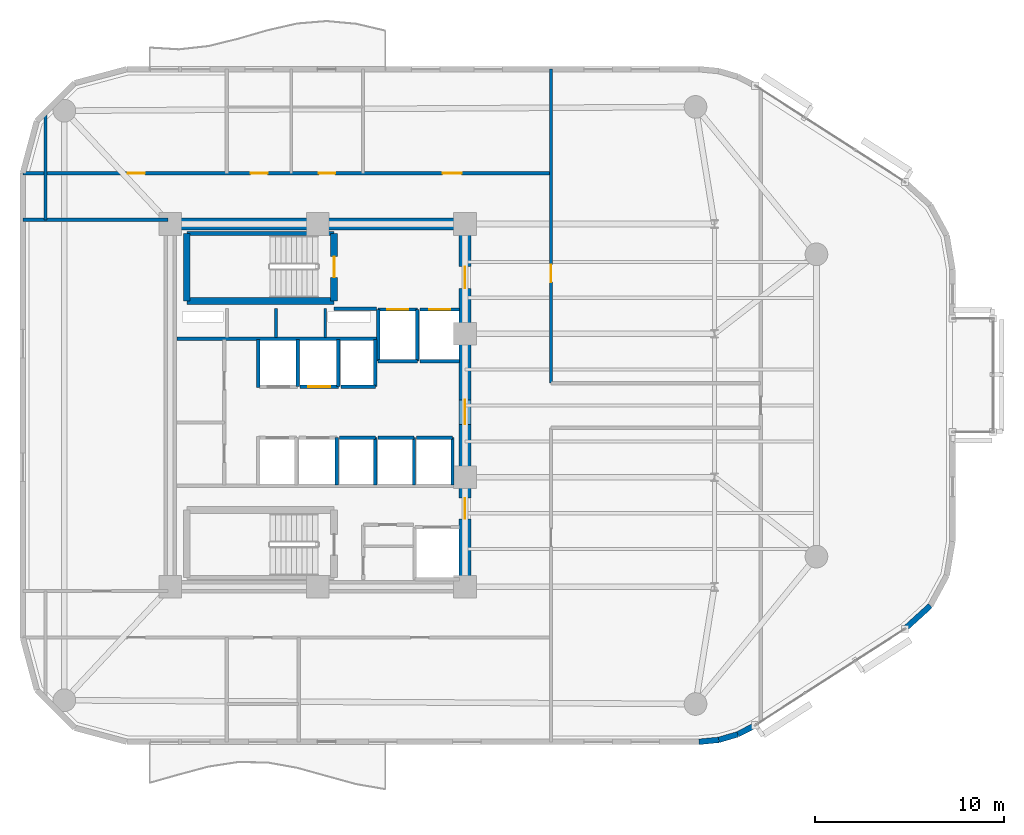
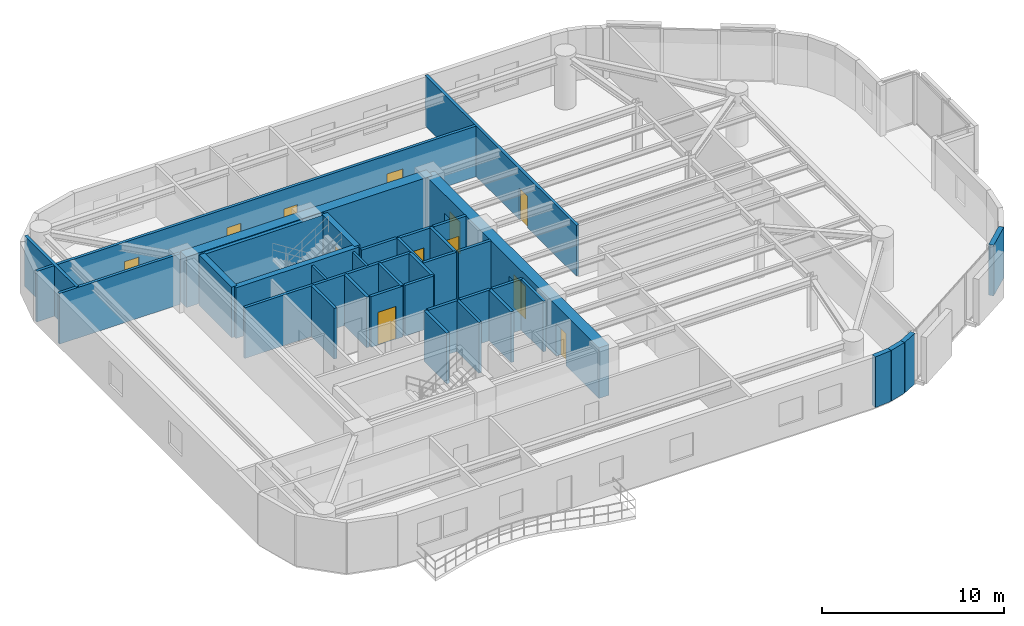
# One storey, part 9 of 12: 37 walls, 12 doors, 12 openings.
"""IFC4 building model written with IfcOpenShell, lengths in metres."""

from ifc_helpers import new_model, si_unit, direction, frame, frame_2d, origin, place, context, subcontext, project, spatial, rectangle, extrude, material, layer, layer_set, type_object, element, fill, save


model = new_model("IFC4")

# Units and contexts
model_context = context("Model", 3, precision=1e-05, world=origin(), true_north=direction((0.0, 1.0)))
body_context = subcontext(model_context, "Body", "Model", "MODEL_VIEW")
ifc_project = project(units=[si_unit("LENGTHUNIT", "METRE"), si_unit("AREAUNIT", "SQUARE_METRE"), si_unit("VOLUMEUNIT", "CUBIC_METRE"), si_unit("PLANEANGLEUNIT", "RADIAN"), si_unit("MASSUNIT", "GRAM", prefix="KILO")], contexts=[model_context])

# Site, building, storey
site_placement = place(None, origin())
site = spatial("IfcSite", under=ifc_project, at=site_placement, CompositionType="ELEMENT")
building_placement = place(site_placement, origin())
building = spatial("IfcBuilding", under=site, at=building_placement, Name="An Khanh Terracotta Commons", CompositionType="ELEMENT")
storey_placement = place(building_placement, frame((0.0, 0.0, 161.800048828125)))
storey = spatial("IfcBuildingStorey", under=building, at=storey_placement, Name="L42", CompositionType="ELEMENT", Elevation=161.800048828125)

# Wall
ifc_material_1 = material(Name="Concrete C60/75", Category="concrete")
ifc_layer_1 = layer(ifc_material_1, 0.64990234375, Name="Concrete C60/75")
ifc_layer_set_1 = layer_set([ifc_layer_1], Name="Concrete C60/75")
wall_type_1 = type_object("IfcWallType", Name="WALL-CORE-650", PredefinedType="SHEAR", material=ifc_layer_set_1)
wall_1_placement = place(storey_placement, frame((21.60009765625, 33.60009765625, 0.0), z_axis=(0.0, 0.0, 1.0), x_axis=(1.0, 0.0, 0.0)))
element("IfcWall", 1, at=wall_1_placement, inside=storey, type_object=wall_type_1, Name="L42 Core Wall CWALL-L42-N", PredefinedType="SHEAR", context=body_context, shape_type="SweptSolid", body=[
    extrude(rectangle(XDim=15.599853515625, YDim=0.64990234375, at=frame_2d((7.7998046875, 0.0))), origin(), (0.0, 0.0, 1.0), 3.39990234375),
])

# Wall, openings, doors
wall_2_placement = place(storey_placement, frame((37.199951171875, 14.39990234375, 0.0), z_axis=(0.0, 0.0, 1.0), x_axis=(0.0, 1.0, 0.0)))
wall_2 = element("IfcWall", 2, at=wall_2_placement, inside=storey, type_object=wall_type_1, Name="L42 Core Wall CWALL-L42-E", PredefinedType="SHEAR", context=body_context, shape_type="SweptSolid", body=[
    extrude(rectangle(XDim=19.2001953125, YDim=0.64990234375, at=frame_2d((9.60009765625, 0.0))), origin(), (0.0, 0.0, 1.0), 3.39990234375),
])
opening_1_placement = place(wall_2_placement, frame((15.800048828125, 0.0, 0.0)))
opening_1 = element("IfcOpeningElement", 3, at=opening_1_placement, cuts=wall_2, Name="Opening D-FFL", PredefinedType="OPENING", context=body_context, shape_type="SweptSolid", body=[
    extrude(rectangle(XDim=1.14990234375, YDim=2.14990234375, at=frame_2d((0.574951171875, 1.074951171875))), frame((0.0, 0.3349609375, 0.0), z_axis=(0.0, -1.0, 0.0), x_axis=(1.0, 0.0, 0.0)), (0.0, 0.0, 1.0), 0.669921875),
])
opening_2_placement = place(wall_2_placement, frame((3.60009765625, 0.0, 0.0)))
opening_2 = element("IfcOpeningElement", 4, at=opening_2_placement, cuts=wall_2, Name="Opening D-ST", PredefinedType="OPENING", context=body_context, shape_type="SweptSolid", body=[
    extrude(rectangle(XDim=1.10009765625, YDim=2.14990234375, at=frame_2d((0.550048828125, 1.074951171875))), frame((0.0, 0.3349609375, 0.0), z_axis=(0.0, -1.0, 0.0), x_axis=(1.0, 0.0, 0.0)), (0.0, 0.0, 1.0), 0.669921875),
])
opening_3_placement = place(wall_2_placement, frame((8.60009765625, 0.0, 0.0)))
opening_3 = element("IfcOpeningElement", 5, at=opening_3_placement, cuts=wall_2, Name="Opening D-COR", PredefinedType="OPENING", context=body_context, shape_type="SweptSolid", body=[
    extrude(rectangle(XDim=1.300048828125, YDim=2.199951171875, at=frame_2d((0.64990234375, 1.10009765625))), frame((0.0, 0.3349609375, 0.0), z_axis=(0.0, -1.0, 0.0), x_axis=(1.0, 0.0, 0.0)), (0.0, 0.0, 1.0), 0.669921875),
])
ifc_material_2 = material(Name="Fire-Rated Glazed Steel Double Door", Category="steel")
door_type_1 = type_object("IfcDoorType", Name="DOOR-CORR-1300", OperationType="NOTDEFINED", PredefinedType="DOOR", material=ifc_material_2)
door_1_placement = place(opening_3_placement, origin())
door_1 = element("IfcDoor", 6, at=door_1_placement, inside=storey, type_object=door_type_1, Name="L42 Passenger Lift Lobby Double Door", OperationType="DOUBLE_DOOR_SINGLE_SWING", OverallHeight=2.199951171875, OverallWidth=1.300048828125, PredefinedType="DOOR", context=body_context, shape_type="SweptSolid", body=[
    extrude(rectangle(XDim=1.300048828125, YDim=2.199951171875, at=frame_2d((0.64990234375, 1.10009765625))), frame((0.0, 0.02490234375, 0.0), z_axis=(0.0, -1.0, 0.0), x_axis=(1.0, 0.0, 0.0)), (0.0, 0.0, 1.0), 0.050048828125),
])
fill(opening_3, door_1)
ifc_material_3 = material(Name="Fire-Rated Steel Leaf and Vision Panel", Category="steel")
door_type_2 = type_object("IfcDoorType", Name="DOOR-FFL-1150", OperationType="NOTDEFINED", PredefinedType="DOOR", material=ifc_material_3)
door_2_placement = place(opening_1_placement, origin())
door_2 = element("IfcDoor", 7, at=door_2_placement, inside=storey, type_object=door_type_2, Name="L42 Firefighting Lift Lobby Fire Door", OperationType="SINGLE_SWING_LEFT", OverallHeight=2.14990234375, OverallWidth=1.14990234375, PredefinedType="DOOR", context=body_context, shape_type="SweptSolid", body=[
    extrude(rectangle(XDim=1.14990234375, YDim=2.14990234375, at=frame_2d((0.574951171875, 1.074951171875))), frame((0.0, 0.02490234375, 0.0), z_axis=(0.0, -1.0, 0.0), x_axis=(1.0, 0.0, 0.0)), (0.0, 0.0, 1.0), 0.050048828125),
])
fill(opening_1, door_2)
ifc_material_4 = material(Name="Fire-Rated Steel Leaf and Frame", Category="steel")
door_type_3 = type_object("IfcDoorType", Name="DOOR-STAIR-1100", OperationType="NOTDEFINED", PredefinedType="DOOR", material=ifc_material_4)
door_3_placement = place(opening_2_placement, origin())
door_3 = element("IfcDoor", 8, at=door_3_placement, inside=storey, type_object=door_type_3, Name="L42 South Stair Lobby Fire Door", OperationType="SINGLE_SWING_RIGHT", OverallHeight=2.14990234375, OverallWidth=1.10009765625, PredefinedType="DOOR", context=body_context, shape_type="SweptSolid", body=[
    extrude(rectangle(XDim=1.10009765625, YDim=2.14990234375, at=frame_2d((0.550048828125, 1.074951171875))), frame((0.0, 0.02490234375, 0.0), z_axis=(0.0, -1.0, 0.0), x_axis=(1.0, 0.0, 0.0)), (0.0, 0.0, 1.0), 0.050048828125),
])
fill(opening_2, door_3)

# Walls
ifc_material_5 = material(Name="Fire-Rated Gypsum Board on Steel Stud", Category="steel")
ifc_layer_2 = layer(ifc_material_5, 0.179931640625, Name="Fire-Rated Gypsum Board on Steel Stud")
ifc_layer_set_2 = layer_set([ifc_layer_2], Name="Fire-Rated Gypsum Board on Steel Stud")
wall_type_2 = type_object("IfcWallType", Name="WALL-CORR-180", PredefinedType="PARTITIONING", material=ifc_layer_set_2)
wall_3_placement = place(storey_placement, frame((30.27001953125, 29.1201171875, 0.0), z_axis=(0.0, 0.0, 1.0), x_axis=(1.0, 0.0, 0.0)))
element("IfcWall", 9, at=wall_3_placement, inside=storey, type_object=wall_type_2, Name="L42 Core Wall FFLW-L42-S", PredefinedType="PARTITIONING", context=body_context, shape_type="SweptSolid", body=[
    extrude(rectangle(XDim=2.239990234375, YDim=0.179931640625, at=frame_2d((1.1201171875, 0.0))), origin(), (0.0, 0.0, 1.0), 3.39990234375),
])
wall_4_placement = place(storey_placement, frame((21.949951171875, 27.5400390625, 0.0), z_axis=(0.0, 0.0, 1.0), x_axis=(1.0, 0.0, 0.0)))
element("IfcWall", 10, at=wall_4_placement, inside=storey, type_object=wall_type_2, Name="L42 Core Wall RSRW-L42-S", PredefinedType="PARTITIONING", context=body_context, shape_type="SweptSolid", body=[
    extrude(rectangle(XDim=10.56005859375, YDim=0.179931640625, at=frame_2d((5.280029296875, 0.0))), origin(), (0.0, 0.0, 1.0), 3.39990234375),
])

# Wall, opening, door
wall_5_placement = place(storey_placement, frame((32.60009765625, 29.080078125, 0.0), z_axis=(0.0, 0.0, 1.0), x_axis=(1.0, 0.0, 0.0)))
wall_5 = element("IfcWall", 11, at=wall_5_placement, inside=storey, type_object=wall_type_2, Name="L42 Core Wall LSH-L42-FFL-01-N", PredefinedType="PARTITIONING", context=body_context, shape_type="SweptSolid", body=[
    extrude(rectangle(XDim=2.079833984375, YDim=0.179931640625, at=frame_2d((1.0400390625, 0.0))), origin(), (0.0, 0.0, 1.0), 3.39990234375),
])
opening_4_placement = place(wall_5_placement, frame((0.489990234375, 0.0, 0.0)))
opening_4 = element("IfcOpeningElement", 12, at=opening_4_placement, cuts=wall_5, Name="Opening LD-FFL-01-L42", PredefinedType="OPENING", context=body_context, shape_type="SweptSolid", body=[
    extrude(rectangle(XDim=1.10009765625, YDim=2.199951171875, at=frame_2d((0.550048828125, 1.10009765625))), frame((0.0, 0.099853515625, 0.0), z_axis=(0.0, -1.0, 0.0), x_axis=(1.0, 0.0, 0.0)), (0.0, 0.0, 1.0), 0.199951171875),
])
ifc_material_6 = material(Name="Brushed Stainless Steel Fire Landing Door", Category="steel")
door_type_4 = type_object("IfcDoorType", Name="DOOR-LD-FFL-1100", OperationType="NOTDEFINED", PredefinedType="DOOR", material=ifc_material_6)
door_4_placement = place(opening_4_placement, origin())
door_4 = element("IfcDoor", 13, at=door_4_placement, inside=storey, type_object=door_type_4, Name="L42 Lift FFL-01 Sliding Landing Door", OperationType="DOUBLE_DOOR_SLIDING", OverallHeight=2.199951171875, OverallWidth=1.10009765625, PredefinedType="DOOR", context=body_context, shape_type="SweptSolid", body=[
    extrude(rectangle(XDim=1.10009765625, YDim=2.199951171875, at=frame_2d((0.550048828125, 1.10009765625))), frame((0.0, 0.02490234375, 0.0), z_axis=(0.0, -1.0, 0.0), x_axis=(1.0, 0.0, 0.0)), (0.0, 0.0, 1.0), 0.050048828125),
])
fill(opening_4, door_4)

# Walls
wall_6_placement = place(storey_placement, frame((34.679931640625, 26.35009765625, 0.0), z_axis=(0.0, 0.0, 1.0), x_axis=(-1.0, 0.0, 0.0)))
element("IfcWall", 14, at=wall_6_placement, inside=storey, type_object=wall_type_2, Name="L42 Core Wall LSH-L42-FFL-01-S", PredefinedType="PARTITIONING", context=body_context, shape_type="SweptSolid", body=[
    extrude(rectangle(XDim=2.079833984375, YDim=0.179931640625, at=frame_2d((1.0400390625, 0.0))), origin(), (0.0, 0.0, 1.0), 3.39990234375),
])
for number, where, z_axis, x_axis, name in (
    (15, (34.679931640625, 26.35009765625, 0.0), (0.0, 0.0, 1.0), (0.0, 1.0, 0.0), "L42 Core Wall LSH-L42-FFL-01-E"),
    (16, (32.60009765625, 29.080078125, 0.0), (0.0, 0.0, 1.0), (0.0, -1.0, 0.0), "L42 Core Wall LSH-L42-FFL-01-W"),
):
    element("IfcWall", number, at=place(storey_placement, frame(where, z_axis=z_axis, x_axis=x_axis)), inside=storey, type_object=wall_type_2, Name=name, PredefinedType="PARTITIONING", context=body_context, shape_type="SweptSolid", body=[
        extrude(rectangle(XDim=2.72998046875, YDim=0.179931640625, at=frame_2d((1.364990234375, 0.0))), origin(), (0.0, 0.0, 1.0), 3.39990234375),
    ])

# Wall, opening, door
wall_7_placement = place(storey_placement, frame((34.820068359375, 29.080078125, 0.0), z_axis=(0.0, 0.0, 1.0), x_axis=(1.0, 0.0, 0.0)))
wall_7 = element("IfcWall", 17, at=wall_7_placement, inside=storey, type_object=wall_type_2, Name="L42 Core Wall LSH-L42-FFL-02-N", PredefinedType="PARTITIONING", context=body_context, shape_type="SweptSolid", body=[
    extrude(rectangle(XDim=2.079833984375, YDim=0.179931640625, at=frame_2d((1.0400390625, 0.0))), origin(), (0.0, 0.0, 1.0), 3.39990234375),
])
opening_5_placement = place(wall_7_placement, frame((0.489990234375, 0.0, 0.0)))
opening_5 = element("IfcOpeningElement", 18, at=opening_5_placement, cuts=wall_7, Name="Opening LD-FFL-02-L42", PredefinedType="OPENING", context=body_context, shape_type="SweptSolid", body=[
    extrude(rectangle(XDim=1.10009765625, YDim=2.199951171875, at=frame_2d((0.550048828125, 1.10009765625))), frame((0.0, 0.099853515625, 0.0), z_axis=(0.0, -1.0, 0.0), x_axis=(1.0, 0.0, 0.0)), (0.0, 0.0, 1.0), 0.199951171875),
])
door_5_placement = place(opening_5_placement, origin())
door_5 = element("IfcDoor", 19, at=door_5_placement, inside=storey, type_object=door_type_4, Name="L42 Lift FFL-02 Sliding Landing Door", OperationType="DOUBLE_DOOR_SLIDING", OverallHeight=2.199951171875, OverallWidth=1.10009765625, PredefinedType="DOOR", context=body_context, shape_type="SweptSolid", body=[
    extrude(rectangle(XDim=1.10009765625, YDim=2.199951171875, at=frame_2d((0.550048828125, 1.10009765625))), frame((0.0, 0.02490234375, 0.0), z_axis=(0.0, -1.0, 0.0), x_axis=(1.0, 0.0, 0.0)), (0.0, 0.0, 1.0), 0.050048828125),
])
fill(opening_5, door_5)

# Walls
wall_8_placement = place(storey_placement, frame((36.89990234375, 26.35009765625, 0.0), z_axis=(0.0, 0.0, 1.0), x_axis=(-1.0, 0.0, 0.0)))
element("IfcWall", 20, at=wall_8_placement, inside=storey, type_object=wall_type_2, Name="L42 Core Wall LSH-L42-FFL-02-S", PredefinedType="PARTITIONING", context=body_context, shape_type="SweptSolid", body=[
    extrude(rectangle(XDim=2.079833984375, YDim=0.179931640625, at=frame_2d((1.0400390625, 0.0))), origin(), (0.0, 0.0, 1.0), 3.39990234375),
])
wall_9_placement = place(storey_placement, frame((28.340087890625, 25.0, 0.0), z_axis=(0.0, 0.0, 1.0), x_axis=(0.0, 1.0, 0.0)))
element("IfcWall", 21, at=wall_9_placement, inside=storey, type_object=wall_type_2, Name="L42 Core Wall LSH-L42-PL-M1-E", PredefinedType="PARTITIONING", context=body_context, shape_type="SweptSolid", body=[
    extrude(rectangle(XDim=2.5, YDim=0.179931640625, at=frame_2d((1.25, 0.0))), origin(), (0.0, 0.0, 1.0), 3.39990234375),
])

# Wall, opening, door
wall_10_placement = place(storey_placement, frame((30.5, 25.0, 0.0), z_axis=(0.0, 0.0, 1.0), x_axis=(-1.0, 0.0, 0.0)))
wall_10 = element("IfcWall", 22, at=wall_10_placement, inside=storey, type_object=wall_type_2, Name="L42 Core Wall LSH-L42-PL-M2-S", PredefinedType="PARTITIONING", context=body_context, shape_type="SweptSolid", body=[
    extrude(rectangle(XDim=2.02001953125, YDim=0.179931640625, at=frame_2d((1.010009765625, 0.0))), origin(), (0.0, 0.0, 1.0), 3.39990234375),
])
opening_6_placement = place(wall_10_placement, frame((0.43505859375, 0.0, 0.0)))
opening_6 = element("IfcOpeningElement", 23, at=opening_6_placement, cuts=wall_10, Name="Opening LD-PL-M2-L42", PredefinedType="OPENING", context=body_context, shape_type="SweptSolid", body=[
    extrude(rectangle(XDim=1.14990234375, YDim=2.199951171875, at=frame_2d((0.574951171875, 1.10009765625))), frame((0.0, 0.099853515625, 0.0), z_axis=(0.0, -1.0, 0.0), x_axis=(1.0, 0.0, 0.0)), (0.0, 0.0, 1.0), 0.199951171875),
])
ifc_material_7 = material(Name="Brushed Stainless Steel Passenger Landing Door", Category="steel")
door_type_5 = type_object("IfcDoorType", Name="DOOR-LD-PAX-1150", OperationType="NOTDEFINED", PredefinedType="DOOR", material=ifc_material_7)
door_6_placement = place(opening_6_placement, origin())
door_6 = element("IfcDoor", 24, at=door_6_placement, inside=storey, type_object=door_type_5, Name="L42 Lift PL-M2 Sliding Landing Door", OperationType="DOUBLE_DOOR_SLIDING", OverallHeight=2.199951171875, OverallWidth=1.14990234375, PredefinedType="DOOR", context=body_context, shape_type="SweptSolid", body=[
    extrude(rectangle(XDim=1.14990234375, YDim=2.199951171875, at=frame_2d((0.574951171875, 1.10009765625))), frame((0.0, 0.02490234375, 0.0), z_axis=(0.0, -1.0, 0.0), x_axis=(1.0, 0.0, 0.0)), (0.0, 0.0, 1.0), 0.050048828125),
])
fill(opening_6, door_6)

# Walls
for number, where, z_axis, x_axis, name in (
    (25, (30.5, 25.0, 0.0), (0.0, 0.0, 1.0), (0.0, 1.0, 0.0), "L42 Core Wall LSH-L42-PL-M2-E"),
    (26, (30.419921875, 19.800048828125, 0.0), (0.0, 0.0, 1.0), (0.0, 1.0, 0.0), "L42 Core Wall LSH-L42-PL-M4-E"),
):
    element("IfcWall", number, at=place(storey_placement, frame(where, z_axis=z_axis, x_axis=x_axis)), inside=storey, type_object=wall_type_2, Name=name, PredefinedType="PARTITIONING", context=body_context, shape_type="SweptSolid", body=[
        extrude(rectangle(XDim=2.5, YDim=0.179931640625, at=frame_2d((1.25, 0.0))), origin(), (0.0, 0.0, 1.0), 3.39990234375),
    ])
wall_11_placement = place(storey_placement, frame((32.4599609375, 25.0, 0.0), z_axis=(0.0, 0.0, 1.0), x_axis=(-1.0, 0.0, 0.0)))
element("IfcWall", 27, at=wall_11_placement, inside=storey, type_object=wall_type_2, Name="L42 Core Wall LSH-L42-PL-H1-S", PredefinedType="PARTITIONING", context=body_context, shape_type="SweptSolid", body=[
    extrude(rectangle(XDim=1.820068359375, YDim=0.179931640625, at=frame_2d((0.91015625, 0.0))), origin(), (0.0, 0.0, 1.0), 3.39990234375),
])
wall_12_placement = place(storey_placement, frame((32.4599609375, 25.0, 0.0), z_axis=(0.0, 0.0, 1.0), x_axis=(0.0, 1.0, 0.0)))
element("IfcWall", 28, at=wall_12_placement, inside=storey, type_object=wall_type_2, Name="L42 Core Wall LSH-L42-PL-H1-E", PredefinedType="PARTITIONING", context=body_context, shape_type="SweptSolid", body=[
    extrude(rectangle(XDim=2.5, YDim=0.179931640625, at=frame_2d((1.25, 0.0))), origin(), (0.0, 0.0, 1.0), 3.39990234375),
])
wall_13_placement = place(storey_placement, frame((30.56005859375, 22.300048828125, 0.0), z_axis=(0.0, 0.0, 1.0), x_axis=(1.0, 0.0, 0.0)))
element("IfcWall", 29, at=wall_13_placement, inside=storey, type_object=wall_type_2, Name="L42 Core Wall LSH-L42-PL-H2-N", PredefinedType="PARTITIONING", context=body_context, shape_type="SweptSolid", body=[
    extrude(rectangle(XDim=1.89990234375, YDim=0.179931640625, at=frame_2d((0.949951171875, 0.0))), origin(), (0.0, 0.0, 1.0), 3.39990234375),
])
wall_14_placement = place(storey_placement, frame((32.4599609375, 19.800048828125, 0.0), z_axis=(0.0, 0.0, 1.0), x_axis=(0.0, 1.0, 0.0)))
element("IfcWall", 30, at=wall_14_placement, inside=storey, type_object=wall_type_2, Name="L42 Core Wall LSH-L42-PL-H2-E", PredefinedType="PARTITIONING", context=body_context, shape_type="SweptSolid", body=[
    extrude(rectangle(XDim=2.5, YDim=0.179931640625, at=frame_2d((1.25, 0.0))), origin(), (0.0, 0.0, 1.0), 3.39990234375),
])
wall_15_placement = place(storey_placement, frame((32.60009765625, 22.300048828125, 0.0), z_axis=(0.0, 0.0, 1.0), x_axis=(1.0, 0.0, 0.0)))
element("IfcWall", 31, at=wall_15_placement, inside=storey, type_object=wall_type_2, Name="L42 Core Wall LSH-L42-PL-H3-N", PredefinedType="PARTITIONING", context=body_context, shape_type="SweptSolid", body=[
    extrude(rectangle(XDim=1.89990234375, YDim=0.179931640625, at=frame_2d((0.949951171875, 0.0))), origin(), (0.0, 0.0, 1.0), 3.39990234375),
])
wall_16_placement = place(storey_placement, frame((34.5, 19.800048828125, 0.0), z_axis=(0.0, 0.0, 1.0), x_axis=(0.0, 1.0, 0.0)))
element("IfcWall", 32, at=wall_16_placement, inside=storey, type_object=wall_type_2, Name="L42 Core Wall LSH-L42-PL-H3-E", PredefinedType="PARTITIONING", context=body_context, shape_type="SweptSolid", body=[
    extrude(rectangle(XDim=2.5, YDim=0.179931640625, at=frame_2d((1.25, 0.0))), origin(), (0.0, 0.0, 1.0), 3.39990234375),
])
wall_17_placement = place(storey_placement, frame((34.639892578125, 22.300048828125, 0.0), z_axis=(0.0, 0.0, 1.0), x_axis=(1.0, 0.0, 0.0)))
element("IfcWall", 33, at=wall_17_placement, inside=storey, type_object=wall_type_2, Name="L42 Core Wall LSH-L42-PL-H4-N", PredefinedType="PARTITIONING", context=body_context, shape_type="SweptSolid", body=[
    extrude(rectangle(XDim=1.900146484375, YDim=0.179931640625, at=frame_2d((0.9501953125, 0.0))), origin(), (0.0, 0.0, 1.0), 3.39990234375),
])
wall_18_placement = place(storey_placement, frame((36.5400390625, 19.800048828125, 0.0), z_axis=(0.0, 0.0, 1.0), x_axis=(0.0, 1.0, 0.0)))
element("IfcWall", 34, at=wall_18_placement, inside=storey, type_object=wall_type_2, Name="L42 Core Wall LSH-L42-PL-H4-E", PredefinedType="PARTITIONING", context=body_context, shape_type="SweptSolid", body=[
    extrude(rectangle(XDim=2.5, YDim=0.179931640625, at=frame_2d((1.25, 0.0))), origin(), (0.0, 0.0, 1.0), 3.39990234375),
])
wall_19_placement = place(storey_placement, frame((26.25, 24.949951171875, 0.0), z_axis=(0.0, 0.0, 1.0), x_axis=(0.0, 1.0, 0.0)))
element("IfcWall", 35, at=wall_19_placement, inside=storey, type_object=wall_type_2, Name="L42 Core Wall RECW-L42-BE1", PredefinedType="PARTITIONING", context=body_context, shape_type="SweptSolid", body=[
    extrude(rectangle(XDim=2.550048828125, YDim=0.179931640625, at=frame_2d((1.27490234375, 0.0))), origin(), (0.0, 0.0, 1.0), 3.39990234375),
])
wall_20_placement = place(storey_placement, frame((13.800048828125, 33.820068359375, 0.0), z_axis=(0.0, 0.0, 1.0), x_axis=(1.0, 0.0, 0.0)))
element("IfcWall", 36, at=wall_20_placement, inside=storey, type_object=wall_type_2, Name="L42 Interior Partition IW-L42-E006", PredefinedType="PARTITIONING", context=body_context, shape_type="SweptSolid", body=[
    extrude(rectangle(XDim=7.679931640625, YDim=0.179931640625, at=frame_2d((3.83984375, 0.0))), origin(), (0.0, 0.0, 1.0), 3.39990234375),
])

# Wall, openings, doors
wall_21_placement = place(storey_placement, frame((13.800048828125, 36.280029296875, 0.0), z_axis=(0.0, 0.0, 1.0), x_axis=(1.0, 0.0, 0.0)))
wall_21 = element("IfcWall", 37, at=wall_21_placement, inside=storey, type_object=wall_type_2, Name="L42 Interior Partition IW-L42-E007", PredefinedType="PARTITIONING", context=body_context, shape_type="SweptSolid", body=[
    extrude(rectangle(XDim=27.949951171875, YDim=0.179931640625, at=frame_2d((13.97509765625, 0.0))), origin(), (0.0, 0.0, 1.0), 3.39990234375),
])
opening_7_placement = place(wall_21_placement, frame((12.050048828125, 0.0, 0.0)))
opening_7 = element("IfcOpeningElement", 38, at=opening_7_placement, cuts=wall_21, Name="Opening D-WC", PredefinedType="OPENING", context=body_context, shape_type="SweptSolid", body=[
    extrude(rectangle(XDim=0.89990234375, YDim=2.10009765625, at=frame_2d((0.449951171875, 1.050048828125))), frame((0.0, 0.099853515625, 0.0), z_axis=(0.0, -1.0, 0.0), x_axis=(1.0, 0.0, 0.0)), (0.0, 0.0, 1.0), 0.199951171875),
])
opening_8_placement = place(wall_21_placement, frame((15.669921875, 0.0, 0.0)))
opening_8 = element("IfcOpeningElement", 39, at=opening_8_placement, cuts=wall_21, Name="Opening D-ENS", PredefinedType="OPENING", context=body_context, shape_type="SweptSolid", body=[
    extrude(rectangle(XDim=0.860107421875, YDim=2.10009765625, at=frame_2d((0.43017578125, 1.050048828125))), frame((0.0, 0.099853515625, 0.0), z_axis=(0.0, -1.0, 0.0), x_axis=(1.0, 0.0, 0.0)), (0.0, 0.0, 1.0), 0.199951171875),
])
opening_9_placement = place(wall_21_placement, frame((5.5400390625, 0.0, 0.0)))
opening_9 = element("IfcOpeningElement", 40, at=opening_9_placement, cuts=wall_21, Name="Opening D-RM", PredefinedType="OPENING", context=body_context, shape_type="SweptSolid", body=[
    extrude(rectangle(XDim=0.919921875, YDim=2.10009765625, at=frame_2d((0.4599609375, 1.050048828125))), frame((0.0, 0.099853515625, 0.0), z_axis=(0.0, -1.0, 0.0), x_axis=(1.0, 0.0, 0.0)), (0.0, 0.0, 1.0), 0.199951171875),
])
opening_10_placement = place(wall_21_placement, frame((22.215087890625, 0.0, 0.0)))
opening_10 = element("IfcOpeningElement", 41, at=opening_10_placement, cuts=wall_21, Name="Opening D-UN", PredefinedType="OPENING", context=body_context, shape_type="SweptSolid", body=[
    extrude(rectangle(XDim=1.0, YDim=2.14990234375, at=frame_2d((0.5, 1.074951171875))), frame((0.0, 0.099853515625, 0.0), z_axis=(0.0, -1.0, 0.0), x_axis=(1.0, 0.0, 0.0)), (0.0, 0.0, 1.0), 0.199951171875),
])
ifc_material_8 = material(Name="Moisture-Resistant Hardwood Timber Leaf", Category="wood")
door_type_6 = type_object("IfcDoorType", Name="DOOR-BATH-860", OperationType="NOTDEFINED", PredefinedType="DOOR", material=ifc_material_8)
door_7_placement = place(opening_8_placement, origin())
door_7 = element("IfcDoor", 42, at=door_7_placement, inside=storey, type_object=door_type_6, Name="L42 SHW Resident Shared Shower and Washroom Door", OperationType="SINGLE_SWING_RIGHT", OverallHeight=2.10009765625, OverallWidth=0.860107421875, PredefinedType="DOOR", context=body_context, shape_type="SweptSolid", body=[
    extrude(rectangle(XDim=0.860107421875, YDim=2.10009765625, at=frame_2d((0.43017578125, 1.050048828125))), frame((0.0, 0.02490234375, 0.0), z_axis=(0.0, -1.0, 0.0), x_axis=(1.0, 0.0, 0.0)), (0.0, 0.0, 1.0), 0.050048828125),
])
fill(opening_8, door_7)
ifc_material_9 = material(Name="Engineered Hardwood Timber Leaf", Category="wood")
door_type_7 = type_object("IfcDoorType", Name="DOOR-INT-920", OperationType="NOTDEFINED", PredefinedType="DOOR", material=ifc_material_9)
door_8_placement = place(opening_9_placement, origin())
door_8 = element("IfcDoor", 43, at=door_8_placement, inside=storey, type_object=door_type_7, Name="L42 NW1 Student Reading Library Door", OperationType="SINGLE_SWING_LEFT", OverallHeight=2.10009765625, OverallWidth=0.919921875, PredefinedType="DOOR", context=body_context, shape_type="SweptSolid", body=[
    extrude(rectangle(XDim=0.919921875, YDim=2.10009765625, at=frame_2d((0.4599609375, 1.050048828125))), frame((0.0, 0.02490234375, 0.0), z_axis=(0.0, -1.0, 0.0), x_axis=(1.0, 0.0, 0.0)), (0.0, 0.0, 1.0), 0.050048828125),
])
fill(opening_9, door_8)
ifc_material_10 = material(Name="Solid-Core Hardwood Acoustic Fire Door", Category="wood")
door_type_8 = type_object("IfcDoorType", Name="DOOR-UNIT-1000", OperationType="NOTDEFINED", PredefinedType="DOOR", material=ifc_material_10)
door_9_placement = place(opening_10_placement, origin())
door_9 = element("IfcDoor", 44, at=door_9_placement, inside=storey, type_object=door_type_8, Name="L42 NWE Yoga Wellness Studio Door", OperationType="SINGLE_SWING_RIGHT", OverallHeight=2.14990234375, OverallWidth=1.0, PredefinedType="DOOR", context=body_context, shape_type="SweptSolid", body=[
    extrude(rectangle(XDim=1.0, YDim=2.14990234375, at=frame_2d((0.5, 1.074951171875))), frame((0.0, 0.02490234375, 0.0), z_axis=(0.0, -1.0, 0.0), x_axis=(1.0, 0.0, 0.0)), (0.0, 0.0, 1.0), 0.050048828125),
])
fill(opening_10, door_9)
ifc_material_11 = material(Name="Laminate Moisture-Resistant Timber Leaf", Category="wood")
door_type_9 = type_object("IfcDoorType", Name="DOOR-WC-900", OperationType="NOTDEFINED", PredefinedType="DOOR", material=ifc_material_11)
door_10_placement = place(opening_7_placement, origin())
door_10 = element("IfcDoor", 45, at=door_10_placement, inside=storey, type_object=door_type_9, Name="L42 AWC Accessible WC Door", OperationType="SINGLE_SWING_LEFT", OverallHeight=2.10009765625, OverallWidth=0.89990234375, PredefinedType="DOOR", context=body_context, shape_type="SweptSolid", body=[
    extrude(rectangle(XDim=0.89990234375, YDim=2.10009765625, at=frame_2d((0.449951171875, 1.050048828125))), frame((0.0, 0.02490234375, 0.0), z_axis=(0.0, -1.0, 0.0), x_axis=(1.0, 0.0, 0.0)), (0.0, 0.0, 1.0), 0.050048828125),
])
fill(opening_7, door_10)

# Wall
wall_22_placement = place(storey_placement, frame((15.0, 33.820068359375, 0.0), z_axis=(0.0, 0.0, 1.0), x_axis=(0.0, 1.0, 0.0)))
element("IfcWall", 46, at=wall_22_placement, inside=storey, type_object=wall_type_2, Name="L42 Interior Partition IW-L42-E010", PredefinedType="PARTITIONING", context=body_context, shape_type="SweptSolid", body=[
    extrude(rectangle(XDim=5.69287109375, YDim=0.179931640625, at=frame_2d((2.846435546875, 0.0))), origin(), (0.0, 0.0, 1.0), 3.39990234375),
])

# Wall, opening, door
wall_23_placement = place(storey_placement, frame((41.75, 25.179931640625, 0.0), z_axis=(0.0, 0.0, 1.0), x_axis=(0.0, 1.0, 0.0)))
wall_23 = element("IfcWall", 47, at=wall_23_placement, inside=storey, type_object=wall_type_2, Name="L42 Interior Partition IW-L42-E017", PredefinedType="PARTITIONING", context=body_context, shape_type="SweptSolid", body=[
    extrude(rectangle(XDim=16.6201171875, YDim=0.179931640625, at=frame_2d((8.31005859375, 0.0))), origin(), (0.0, 0.0, 1.0), 3.39990234375),
])
opening_11_placement = place(wall_23_placement, frame((5.35009765625, 0.0, 0.0)))
opening_11 = element("IfcOpeningElement", 48, at=opening_11_placement, cuts=wall_23, Name="Opening D-RM", PredefinedType="OPENING", context=body_context, shape_type="SweptSolid", body=[
    extrude(rectangle(XDim=0.919921875, YDim=2.10009765625, at=frame_2d((0.4599609375, 1.050048828125))), frame((0.0, 0.099853515625, 0.0), z_axis=(0.0, -1.0, 0.0), x_axis=(1.0, 0.0, 0.0)), (0.0, 0.0, 1.0), 0.199951171875),
])
door_11_placement = place(opening_11_placement, origin())
door_11 = element("IfcDoor", 49, at=door_11_placement, inside=storey, type_object=door_type_7, Name="L42 SPN1 Music Room Door", OperationType="SINGLE_SWING_RIGHT", OverallHeight=2.10009765625, OverallWidth=0.919921875, PredefinedType="DOOR", context=body_context, shape_type="SweptSolid", body=[
    extrude(rectangle(XDim=0.919921875, YDim=2.10009765625, at=frame_2d((0.4599609375, 1.050048828125))), frame((0.0, 0.02490234375, 0.0), z_axis=(0.0, -1.0, 0.0), x_axis=(1.0, 0.0, 0.0)), (0.0, 0.0, 1.0), 0.050048828125),
])
fill(opening_11, door_11)

# Walls
ifc_material_12 = material(Name="Precast concrete C40/50", Category="concrete")
ifc_layer_3 = layer(ifc_material_12, 0.300048828125, Name="Precast concrete C40/50")
ifc_layer_set_3 = layer_set([ifc_layer_3], Name="Precast concrete C40/50")
wall_type_3 = type_object("IfcWallType", Name="WALL-EXT-300", PredefinedType="SOLIDWALL", material=ifc_layer_set_3)
wall_24_placement = place(storey_placement, frame((49.58203125, 6.199951171875, 0.0), z_axis=(0.0, 0.0, 1.0), x_axis=(0.995426089968, 0.095534807324, 0.0)))
element("IfcWall", 50, at=wall_24_placement, inside=storey, type_object=wall_type_3, Name="L42 Insulated Terracotta Exterior Wall 5", PredefinedType="SOLIDWALL", context=body_context, shape_type="SweptSolid", body=[
    extrude(rectangle(XDim=1.0478515625, YDim=0.300048828125, at=frame_2d((0.52392578125, 0.0))), origin(), (0.0, 0.0, 1.0), 3.39990234375),
])
wall_25_placement = place(storey_placement, frame((50.625, 6.300048828125, 0.0), z_axis=(0.0, 0.0, 1.0), x_axis=(0.959528674476, 0.281610942363, 0.0)))
element("IfcWall", 51, at=wall_25_placement, inside=storey, type_object=wall_type_3, Name="L42 Insulated Terracotta Exterior Wall 6", PredefinedType="SOLIDWALL", context=body_context, shape_type="SweptSolid", body=[
    extrude(rectangle(XDim=1.04736328125, YDim=0.300048828125, at=frame_2d((0.523681640625, 0.0))), origin(), (0.0, 0.0, 1.0), 3.39990234375),
])
wall_26_placement = place(storey_placement, frame((51.6298828125, 6.594970703125, 0.0), z_axis=(0.0, 0.0, 1.0), x_axis=(0.888283247196, 0.459296062198, 0.0)))
element("IfcWall", 52, at=wall_26_placement, inside=storey, type_object=wall_type_3, Name="L42 Insulated Terracotta Exterior Wall 7", PredefinedType="SOLIDWALL", context=body_context, shape_type="SweptSolid", body=[
    extrude(rectangle(XDim=1.047119140625, YDim=0.300048828125, at=frame_2d((0.5234375, 0.0))), origin(), (0.0, 0.0, 1.0), 3.39990234375),
])
wall_27_placement = place(storey_placement, frame((60.47802734375, 12.176025390625, 0.0), z_axis=(0.0, 0.0, 1.0), x_axis=(0.73947929393, 0.673179302897, 0.0)))
element("IfcWall", 53, at=wall_27_placement, inside=storey, type_object=wall_type_3, Name="L42 Insulated Terracotta Exterior Wall 9", PredefinedType="SOLIDWALL", context=body_context, shape_type="SweptSolid", body=[
    extrude(rectangle(XDim=1.82275390625, YDim=0.300048828125, at=frame_2d((0.911376953125, 0.0))), origin(), (0.0, 0.0, 1.0), 3.39990234375),
])
ifc_material_13 = material(Name="Acoustic Gypsum Board Partition")
ifc_layer_4 = layer(ifc_material_13, 0.14990234375, Name="Acoustic Gypsum Board Partition")
ifc_layer_set_4 = layer_set([ifc_layer_4], Name="Acoustic Gypsum Board Partition")
wall_type_4 = type_object("IfcWallType", Name="WALL-PART-150", PredefinedType="PARTITIONING", material=ifc_layer_set_4)
for number, where, z_axis, x_axis, name in (
    (54, (27.199951171875, 27.60009765625, 0.0), (0.0, 0.0, 1.0), (0.0, 1.0, 0.0), "L42 Core Wall RSRW-L42-D2"),
    (55, (29.800048828125, 27.60009765625, 0.0), (0.0, 0.0, 1.0), (0.0, 1.0, 0.0), "L42 Core Wall RSRW-L42-D3"),
):
    element("IfcWall", number, at=place(storey_placement, frame(where, z_axis=z_axis, x_axis=x_axis)), inside=storey, type_object=wall_type_4, Name=name, PredefinedType="PARTITIONING", context=body_context, shape_type="SweptSolid", body=[
        extrude(rectangle(XDim=1.52001953125, YDim=0.14990234375, at=frame_2d((0.760009765625, 0.0))), origin(), (0.0, 0.0, 1.0), 3.39990234375),
    ])
ifc_material_14 = material(Name="Acoustic Double-Stud Gypsum and Mineral Wool")
ifc_layer_5 = layer(ifc_material_14, 0.219970703125, Name="Acoustic Double-Stud Gypsum and Mineral Wool")
ifc_layer_set_5 = layer_set([ifc_layer_5], Name="Acoustic Double-Stud Gypsum and Mineral Wool")
wall_type_5 = type_object("IfcWallType", Name="WALL-PARTY-220", PredefinedType="PARTITIONING", material=ifc_layer_set_5)
wall_28_placement = place(storey_placement, frame((22.47998046875, 33.110107421875, 0.0), z_axis=(0.0, 0.0, 1.0), x_axis=(1.0, 0.0, 0.0)))
element("IfcWall", 56, at=wall_28_placement, inside=storey, type_object=wall_type_5, Name="L42 Core Wall STW-L42-N-N", PredefinedType="PARTITIONING", context=body_context, shape_type="SweptSolid", body=[
    extrude(rectangle(XDim=7.7900390625, YDim=0.219970703125, at=frame_2d((3.89501953125, 0.0))), origin(), (0.0, 0.0, 1.0), 3.39990234375),
])
ifc_material_15 = material(Name="Concrete C50/60", Category="concrete")
ifc_layer_6 = layer(ifc_material_15, 0.35009765625, Name="Concrete C50/60")
ifc_layer_set_6 = layer_set([ifc_layer_6], Name="Concrete C50/60")
wall_type_6 = type_object("IfcWallType", Name="WALL-SHAFT-350", PredefinedType="SOLIDWALL", material=ifc_layer_set_6)
wall_29_placement = place(storey_placement, frame((22.47998046875, 29.530029296875, 0.0), z_axis=(0.0, 0.0, 1.0), x_axis=(1.0, 0.0, 0.0)))
element("IfcWall", 57, at=wall_29_placement, inside=storey, type_object=wall_type_6, Name="L42 Core Wall STW-L42-N-S", PredefinedType="SOLIDWALL", context=body_context, shape_type="SweptSolid", body=[
    extrude(rectangle(XDim=7.7900390625, YDim=0.35009765625, at=frame_2d((3.89501953125, 0.0))), origin(), (0.0, 0.0, 1.0), 3.39990234375),
])
wall_30_placement = place(storey_placement, frame((22.47998046875, 29.530029296875, 0.0), z_axis=(0.0, 0.0, 1.0), x_axis=(0.0, 1.0, 0.0)))
element("IfcWall", 58, at=wall_30_placement, inside=storey, type_object=wall_type_6, Name="L42 Core Wall STW-L42-N-W", PredefinedType="SOLIDWALL", context=body_context, shape_type="SweptSolid", body=[
    extrude(rectangle(XDim=3.580078125, YDim=0.35009765625, at=frame_2d((1.7900390625, 0.0))), origin(), (0.0, 0.0, 1.0), 3.39990234375),
])

# Wall, opening, door
wall_31_placement = place(storey_placement, frame((30.27001953125, 29.530029296875, 0.0), z_axis=(0.0, 0.0, 1.0), x_axis=(0.0, 1.0, 0.0)))
wall_31 = element("IfcWall", 59, at=wall_31_placement, inside=storey, type_object=wall_type_6, Name="L42 Core Wall STW-L42-N-E", PredefinedType="SOLIDWALL", context=body_context, shape_type="SweptSolid", body=[
    extrude(rectangle(XDim=3.580078125, YDim=0.35009765625, at=frame_2d((1.7900390625, 0.0))), origin(), (0.0, 0.0, 1.0), 3.39990234375),
])
opening_12_placement = place(wall_31_placement, frame((1.25, 0.0, 0.0)))
opening_12 = element("IfcOpeningElement", 60, at=opening_12_placement, cuts=wall_31, Name="Opening D-ST", PredefinedType="OPENING", context=body_context, shape_type="SweptSolid", body=[
    extrude(rectangle(XDim=1.10009765625, YDim=2.14990234375, at=frame_2d((0.550048828125, 1.074951171875))), frame((0.0, 0.18505859375, 0.0), z_axis=(0.0, -1.0, 0.0), x_axis=(1.0, 0.0, 0.0)), (0.0, 0.0, 1.0), 0.3701171875),
])
door_12_placement = place(opening_12_placement, origin())
door_12 = element("IfcDoor", 61, at=door_12_placement, inside=storey, type_object=door_type_3, Name="L42 Stair ST-01 Fire Door", OperationType="SINGLE_SWING_LEFT", OverallHeight=2.14990234375, OverallWidth=1.10009765625, PredefinedType="DOOR", context=body_context, shape_type="SweptSolid", body=[
    extrude(rectangle(XDim=1.10009765625, YDim=2.14990234375, at=frame_2d((0.550048828125, 1.074951171875))), frame((0.0, 0.02490234375, 0.0), z_axis=(0.0, -1.0, 0.0), x_axis=(1.0, 0.0, 0.0)), (0.0, 0.0, 1.0), 0.050048828125),
])
fill(opening_12, door_12)

save(model, "model.ifc")
